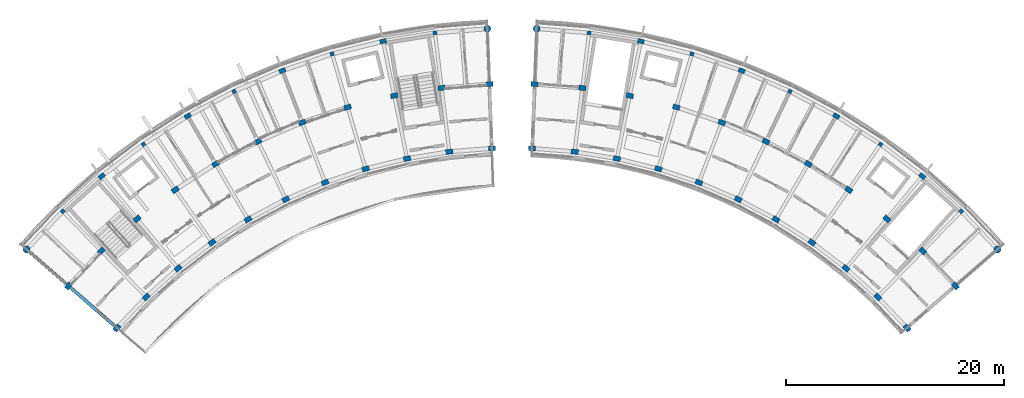
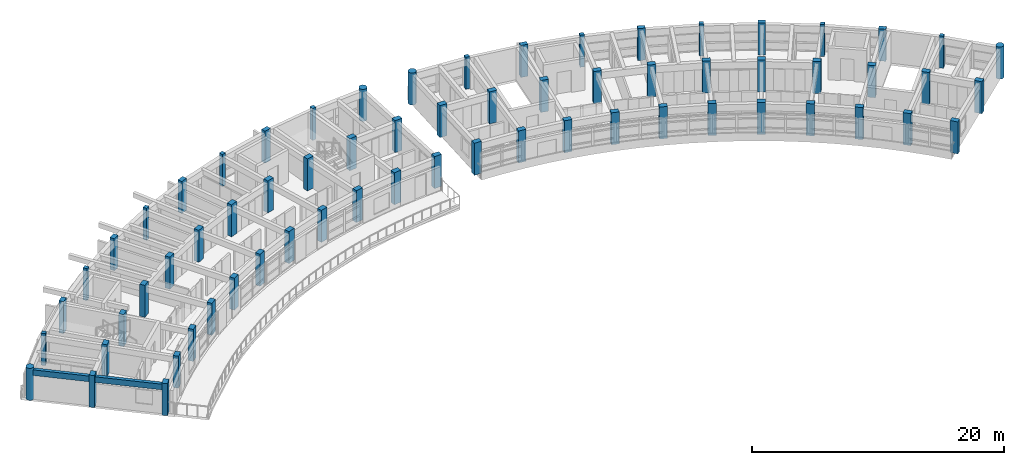
# One storey, part 1 of 23: 66 columns, 2 beams.
"""IFC4 building model written with IfcOpenShell, lengths in metres."""

from ifc_helpers import new_model, si_unit, direction, frame, origin, origin_2d, place, context, subcontext, project, spatial, rectangle, circle, extrude, material, material_profile, profile_set, type_object, element, save


model = new_model("IFC4")

# Units and contexts
model_context = context("Model", 3, precision=1e-05, world=origin(), true_north=direction((0.0, 1.0)))
body_context = subcontext(model_context, "Body", "Model", "MODEL_VIEW")
ifc_project = project(units=[si_unit("LENGTHUNIT", "METRE"), si_unit("AREAUNIT", "SQUARE_METRE"), si_unit("VOLUMEUNIT", "CUBIC_METRE"), si_unit("PLANEANGLEUNIT", "RADIAN"), si_unit("MASSUNIT", "GRAM", prefix="KILO")], contexts=[model_context])

# Site, building, storey
site_placement = place(None, origin())
site = spatial("IfcSite", under=ifc_project, at=site_placement, CompositionType="ELEMENT")
building_placement = place(site_placement, origin())
building = spatial("IfcBuilding", under=site, at=building_placement, Name="Zimvara Arc Housing Community", CompositionType="ELEMENT")
storey_placement = place(building_placement, frame((0.0, 0.0, 36.0)))
storey = spatial("IfcBuildingStorey", under=building, at=storey_placement, Name="L11", CompositionType="ELEMENT", Elevation=36.0)

# Columns
ifc_material_1 = material(Name="Concrete C40/50", Category="concrete")
ifc_material_profile_1 = material_profile(ifc_material_1, rectangle(XDim=0.35009765625, YDim=0.35009765625, at=origin_2d()), Name="RC 350x350")
ifc_profile_set_1 = profile_set([ifc_material_profile_1], Name="Concrete C40/50")
column_type_1 = type_object("IfcColumnType", Name="COL-RC-350x350", PredefinedType="COLUMN", material=ifc_profile_set_1)
for number, where, z_axis, x_axis, name in (
    (1, (3.862548828125, 86.625732421875, 0.0), (0.0, 0.0, 1.0), (-0.698665066769, 0.715448897181, 0.0), "col:blkA:L11:b1:r3"),
    (2, (11.261474609375, 92.755126953125, 0.0), (0.0, 0.0, 1.0), (-0.573004420611, 0.819552276527, 0.0), "col:blkA:L11:b3:r3"),
    (3, (19.558837890625, 97.599853515625, 0.0), (0.0, 0.0, 1.0), (-0.432085748802, 0.901832526405, 0.0), "col:blkA:L11:b5:r3"),
    (4, (28.533447265625, 101.030517578125, 0.0), (0.0, 0.0, 1.0), (-0.27966144946, 0.96009867914, 0.0), "col:blkA:L11:b7:r3"),
    (5, (37.94677734375, 102.9560546875, 0.0), (0.0, 0.0, 1.0), (-0.119790293837, 0.992799217114, 0.0), "col:blkA:L11:b9:r3"),
    (6, (52.05322265625, 102.9560546875, 0.0), (0.0, 0.0, 1.0), (0.119790293837, 0.992799217114, 0.0), "col:blkB:L11:b1:r3"),
    (7, (61.466552734375, 101.030517578125, 0.0), (0.0, 0.0, 1.0), (0.27966144946, 0.96009867914, 0.0), "col:blkB:L11:b3:r3"),
    (8, (70.441162109375, 97.599853515625, 0.0), (0.0, 0.0, 1.0), (0.432085748802, 0.901832526405, 0.0), "col:blkB:L11:b5:r3"),
    (9, (78.738525390625, 92.755126953125, 0.0), (0.0, 0.0, 1.0), (0.573004420611, 0.819552276527, 0.0), "col:blkB:L11:b7:r3"),
    (10, (86.137451171875, 86.625732421875, 0.0), (0.0, 0.0, 1.0), (0.698665066769, 0.715448897181, 0.0), "col:blkB:L11:b9:r3"),
):
    element("IfcColumn", number, at=place(storey_placement, frame(where, z_axis=z_axis, x_axis=x_axis)), inside=storey, type_object=column_type_1, Name=name, PredefinedType="COLUMN", context=body_context, shape_type="SweptSolid", body=[
        extrude(rectangle(XDim=0.35009765625, YDim=0.35009765625, at=origin_2d()), origin(), (0.0, 0.0, 1.0), 3.10009765625),
    ])
ifc_material_2 = material(Name="Concrete C40/50", Category="concrete")
ifc_material_profile_2 = material_profile(ifc_material_2, rectangle(XDim=0.39990234375, YDim=0.60009765625, at=origin_2d()), Name="RC 400x600")
ifc_profile_set_2 = profile_set([ifc_material_profile_2], Name="Concrete C40/50")
column_type_2 = type_object("IfcColumnType", Name="COL-RC-400x600", PredefinedType="COLUMN", material=ifc_profile_set_2)
for number, where, z_axis, x_axis, name in (
    (11, (7.436767578125, 89.841552734375, 0.0), (0.0, 0.0, 1.0), (-0.637961754089, 0.770068049148, 0.0), "col:blkA:L11:b2:r3"),
    (12, (15.311279296875, 95.34716796875, 0.0), (0.0, 0.0, 1.0), (-0.504226211181, 0.863571611366, 0.0), "col:blkA:L11:b4:r3"),
    (13, (23.97607421875, 99.49853515625, 0.0), (0.0, 0.0, 1.0), (-0.357064076459, 0.934079892355, 0.0), "col:blkA:L11:b6:r3"),
    (14, (33.20068359375, 102.185546875, 0.0), (0.0, 0.0, 1.0), (-0.200393999665, 0.979715389742, 0.0), "col:blkA:L11:b8:r3"),
    (15, (56.79931640625, 102.185546875, 0.0), (0.0, 0.0, 1.0), (0.200393999665, 0.979715389742, 0.0), "col:blkB:L11:b2:r3"),
    (16, (66.02392578125, 99.49853515625, 0.0), (0.0, 0.0, 1.0), (0.357064076459, 0.934079892355, 0.0), "col:blkB:L11:b4:r3"),
    (17, (74.688720703125, 95.34716796875, 0.0), (0.0, 0.0, 1.0), (0.504226211181, 0.863571611366, 0.0), "col:blkB:L11:b6:r3"),
    (18, (82.563232421875, 89.841552734375, 0.0), (0.0, 0.0, 1.0), (0.637961754089, 0.770068049148, 0.0), "col:blkB:L11:b8:r3"),
):
    element("IfcColumn", number, at=place(storey_placement, frame(where, z_axis=z_axis, x_axis=x_axis)), inside=storey, type_object=column_type_2, Name=name, PredefinedType="COLUMN", context=body_context, shape_type="SweptSolid", body=[
        extrude(rectangle(XDim=0.39990234375, YDim=0.60009765625, at=origin_2d()), origin(), (0.0, 0.0, 1.0), 3.10009765625),
    ])
ifc_material_3 = material(Name="Concrete C40/50", Category="concrete")
ifc_material_profile_3 = material_profile(ifc_material_3, rectangle(XDim=0.449951171875, YDim=0.64990234375, at=origin_2d()), Name="RC 450x650")
ifc_profile_set_3 = profile_set([ifc_material_profile_3], Name="Concrete C40/50")
column_type_3 = type_object("IfcColumnType", Name="COL-RC-450x650", PredefinedType="COLUMN", material=ifc_profile_set_3)
for number, where, z_axis, x_axis, name in (
    (19, (8.834228515625, 75.938232421875, 0.0), (0.0, 0.0, 1.0), (-0.754709580223, 0.656059028991, 0.0), "col:blkA:L11:b0:r1"),
    (20, (4.396728515625, 79.7958984375, 0.0), (0.0, 0.0, 1.0), (-0.754709580223, 0.656059028991, 0.0), "col:blkA:L11:b0:r2"),
    (21, (11.52001953125, 78.784423828125, 0.0), (0.0, 0.0, 1.0), (-0.698665066769, 0.715448897181, 0.0), "col:blkA:L11:b1:r1"),
    (22, (7.411865234375, 82.9912109375, 0.0), (0.0, 0.0, 1.0), (-0.698665066769, 0.715448897181, 0.0), "col:blkA:L11:b1:r2"),
    (23, (14.428955078125, 81.401611328125, 0.0), (0.0, 0.0, 1.0), (-0.637961754089, 0.770068049148, 0.0), "col:blkA:L11:b2:r1"),
    (24, (10.677734375, 85.9296875, 0.0), (0.0, 0.0, 1.0), (-0.637961754089, 0.770068049148, 0.0), "col:blkA:L11:b2:r2"),
    (25, (17.541748046875, 83.77294921875, 0.0), (0.0, 0.0, 1.0), (-0.573004420611, 0.819552276527, 0.0), "col:blkA:L11:b3:r1"),
    (26, (14.17236328125, 88.591796875, 0.0), (0.0, 0.0, 1.0), (-0.573004420611, 0.819552276527, 0.0), "col:blkA:L11:b3:r2"),
    (27, (20.83740234375, 85.88232421875, 0.0), (0.0, 0.0, 1.0), (-0.504226211181, 0.863571611366, 0.0), "col:blkA:L11:b4:r1"),
    (28, (17.87255859375, 90.960205078125, 0.0), (0.0, 0.0, 1.0), (-0.504226211181, 0.863571611366, 0.0), "col:blkA:L11:b4:r2"),
    (29, (24.29443359375, 87.7158203125, 0.0), (0.0, 0.0, 1.0), (-0.432085748802, 0.901832526405, 0.0), "col:blkA:L11:b5:r1"),
    (30, (21.75390625, 93.0185546875, 0.0), (0.0, 0.0, 1.0), (-0.432085748802, 0.901832526405, 0.0), "col:blkA:L11:b5:r2"),
    (31, (27.889404296875, 89.260986328125, 0.0), (0.0, 0.0, 1.0), (-0.357064076459, 0.934079892355, 0.0), "col:blkA:L11:b6:r1"),
    (32, (25.7900390625, 94.75341796875, 0.0), (0.0, 0.0, 1.0), (-0.357064076459, 0.934079892355, 0.0), "col:blkA:L11:b6:r2"),
    (33, (31.5986328125, 90.5078125, 0.0), (0.0, 0.0, 1.0), (-0.27966144946, 0.96009867914, 0.0), "col:blkA:L11:b7:r1"),
    (34, (29.9541015625, 96.1533203125, 0.0), (0.0, 0.0, 1.0), (-0.27966144946, 0.96009867914, 0.0), "col:blkA:L11:b7:r2"),
    (35, (35.397216796875, 91.447998046875, 0.0), (0.0, 0.0, 1.0), (-0.200393999665, 0.979715389742, 0.0), "col:blkA:L11:b8:r1"),
    (36, (34.21875, 97.208740234375, 0.0), (0.0, 0.0, 1.0), (-0.200393999665, 0.979715389742, 0.0), "col:blkA:L11:b8:r2"),
    (37, (39.259765625, 92.074951171875, 0.0), (0.0, 0.0, 1.0), (-0.119790293837, 0.992799217114, 0.0), "col:blkA:L11:b9:r1"),
    (38, (38.55517578125, 97.91259765625, 0.0), (0.0, 0.0, 1.0), (-0.119790293837, 0.992799217114, 0.0), "col:blkA:L11:b9:r2"),
    (39, (43.160400390625, 92.384765625, 0.0), (0.0, 0.0, 1.0), (-0.038387809088, 0.999262916411, 0.0), "col:blkA:L11:b10:r1"),
    (40, (42.934814453125, 98.26025390625, 0.0), (0.0, 0.0, 1.0), (-0.038387809088, 0.999262916411, 0.0), "col:blkA:L11:b10:r2"),
    (41, (46.839599609375, 92.384765625, 0.0), (0.0, 0.0, 1.0), (0.038387809088, 0.999262916411, 0.0), "col:blkB:L11:b0:r1"),
    (42, (47.065185546875, 98.26025390625, 0.0), (0.0, 0.0, 1.0), (0.038387809088, 0.999262916411, 0.0), "col:blkB:L11:b0:r2"),
    (43, (50.740234375, 92.074951171875, 0.0), (0.0, 0.0, 1.0), (0.119790293837, 0.992799217114, 0.0), "col:blkB:L11:b1:r1"),
    (44, (51.44482421875, 97.91259765625, 0.0), (0.0, 0.0, 1.0), (0.119790293837, 0.992799217114, 0.0), "col:blkB:L11:b1:r2"),
    (45, (54.602783203125, 91.447998046875, 0.0), (0.0, 0.0, 1.0), (0.200393999665, 0.979715389742, 0.0), "col:blkB:L11:b2:r1"),
    (46, (55.78125, 97.208740234375, 0.0), (0.0, 0.0, 1.0), (0.200393999665, 0.979715389742, 0.0), "col:blkB:L11:b2:r2"),
    (47, (58.4013671875, 90.5078125, 0.0), (0.0, 0.0, 1.0), (0.27966144946, 0.96009867914, 0.0), "col:blkB:L11:b3:r1"),
    (48, (60.0458984375, 96.1533203125, 0.0), (0.0, 0.0, 1.0), (0.27966144946, 0.96009867914, 0.0), "col:blkB:L11:b3:r2"),
    (49, (62.110595703125, 89.260986328125, 0.0), (0.0, 0.0, 1.0), (0.357064076459, 0.934079892355, 0.0), "col:blkB:L11:b4:r1"),
    (50, (64.2099609375, 94.75341796875, 0.0), (0.0, 0.0, 1.0), (0.357064076459, 0.934079892355, 0.0), "col:blkB:L11:b4:r2"),
    (51, (65.70556640625, 87.7158203125, 0.0), (0.0, 0.0, 1.0), (0.432085748802, 0.901832526405, 0.0), "col:blkB:L11:b5:r1"),
    (52, (68.24609375, 93.0185546875, 0.0), (0.0, 0.0, 1.0), (0.432085748802, 0.901832526405, 0.0), "col:blkB:L11:b5:r2"),
    (53, (69.16259765625, 85.88232421875, 0.0), (0.0, 0.0, 1.0), (0.504226211181, 0.863571611366, 0.0), "col:blkB:L11:b6:r1"),
    (54, (72.12744140625, 90.960205078125, 0.0), (0.0, 0.0, 1.0), (0.504226211181, 0.863571611366, 0.0), "col:blkB:L11:b6:r2"),
    (55, (72.458251953125, 83.77294921875, 0.0), (0.0, 0.0, 1.0), (0.573004420611, 0.819552276527, 0.0), "col:blkB:L11:b7:r1"),
    (56, (75.82763671875, 88.591796875, 0.0), (0.0, 0.0, 1.0), (0.573004420611, 0.819552276527, 0.0), "col:blkB:L11:b7:r2"),
    (57, (75.571044921875, 81.401611328125, 0.0), (0.0, 0.0, 1.0), (0.637961754089, 0.770068049148, 0.0), "col:blkB:L11:b8:r1"),
    (58, (79.322265625, 85.9296875, 0.0), (0.0, 0.0, 1.0), (0.637961754089, 0.770068049148, 0.0), "col:blkB:L11:b8:r2"),
    (59, (78.47998046875, 78.784423828125, 0.0), (0.0, 0.0, 1.0), (0.698665066769, 0.715448897181, 0.0), "col:blkB:L11:b9:r1"),
    (60, (82.588134765625, 82.9912109375, 0.0), (0.0, 0.0, 1.0), (0.698665066769, 0.715448897181, 0.0), "col:blkB:L11:b9:r2"),
    (61, (81.165771484375, 75.938232421875, 0.0), (0.0, 0.0, 1.0), (0.754709580223, 0.656059028991, 0.0), "col:blkB:L11:b10:r1"),
    (62, (85.603271484375, 79.7958984375, 0.0), (0.0, 0.0, 1.0), (0.754709580223, 0.656059028991, 0.0), "col:blkB:L11:b10:r2"),
):
    element("IfcColumn", number, at=place(storey_placement, frame(where, z_axis=z_axis, x_axis=x_axis)), inside=storey, type_object=column_type_3, Name=name, PredefinedType="COLUMN", context=body_context, shape_type="SweptSolid", body=[
        extrude(rectangle(XDim=0.449951171875, YDim=0.64990234375, at=origin_2d()), origin(), (0.0, 0.0, 1.0), 3.10009765625),
    ])
ifc_material_4 = material(Name="Concrete C40/50", Category="concrete")
ifc_material_profile_4 = material_profile(ifc_material_4, circle(Radius=0.324951171875, at=origin_2d()), Name="RC D650")
ifc_profile_set_4 = profile_set([ifc_material_profile_4], Name="Concrete C40/50")
column_type_4 = type_object("IfcColumnType", Name="COL-RC-D600", PredefinedType="COLUMN", material=ifc_profile_set_4)
for number, where, z_axis, x_axis, name in (
    (63, (0.562744140625, 83.128662109375, 0.0), (0.0, 0.0, 1.0), (-0.754709580223, 0.656059028991, 0.0), "col:blkA:L11:b0:r3"),
    (64, (42.73974609375, 103.336669921875, 0.0), (0.0, 0.0, 1.0), (-0.038387809088, 0.999262916411, 0.0), "col:blkA:L11:b10:r3"),
    (65, (47.26025390625, 103.336669921875, 0.0), (0.0, 0.0, 1.0), (0.038387809088, 0.999262916411, 0.0), "col:blkB:L11:b0:r3"),
    (66, (89.437255859375, 83.128662109375, 0.0), (0.0, 0.0, 1.0), (0.754709580223, 0.656059028991, 0.0), "col:blkB:L11:b10:r3"),
):
    element("IfcColumn", number, at=place(storey_placement, frame(where, z_axis=z_axis, x_axis=x_axis)), inside=storey, type_object=column_type_4, Name=name, PredefinedType="COLUMN", context=body_context, shape_type="SweptSolid", body=[
        extrude(circle(Radius=0.324951171875, at=origin_2d()), origin(), (0.0, 0.0, 1.0), 3.10009765625),
    ])

# Beams
ifc_material_5 = material(Name="Concrete C40/50", Category="concrete")
ifc_material_profile_5 = material_profile(ifc_material_5, rectangle(XDim=0.300048828125, YDim=0.550048828125, at=origin_2d()), Name="RC 300x550")
ifc_profile_set_5 = profile_set([ifc_material_profile_5], Name="Concrete C40/50")
beam_type = type_object("IfcBeamType", Name="BM-RC-300x550", PredefinedType="BEAM", material=ifc_profile_set_5)
beam_1_placement = place(storey_placement, frame((8.834228515625, 75.938232421875, 2.594970703125), z_axis=(-0.754692223258, 0.656078995362, 0.0), x_axis=(-0.656078995362, -0.754692223258, 0.0)))
element("IfcBeam", 67, at=beam_1_placement, inside=storey, type_object=beam_type, Name="bm:blkA:L11:rad:b0:r12", PredefinedType="BEAM", context=body_context, shape_type="SweptSolid", body=[
    extrude(rectangle(XDim=0.300048828125, YDim=0.550048828125, at=origin_2d()), origin(), (0.0, 0.0, 1.0), 5.8798828125),
])
beam_2_placement = place(storey_placement, frame((4.396728515625, 79.7958984375, 2.594970703125), z_axis=(-0.754716217499, 0.656051393599, 0.0), x_axis=(-0.656051393599, -0.754716217499, 0.0)))
element("IfcBeam", 68, at=beam_2_placement, inside=storey, type_object=beam_type, Name="bm:blkA:L11:rad:b0:r23", PredefinedType="BEAM", context=body_context, shape_type="SweptSolid", body=[
    extrude(rectangle(XDim=0.300048828125, YDim=0.550048828125, at=origin_2d()), origin(), (0.0, 0.0, 1.0), 5.080078125),
])

save(model, "model.ifc")
